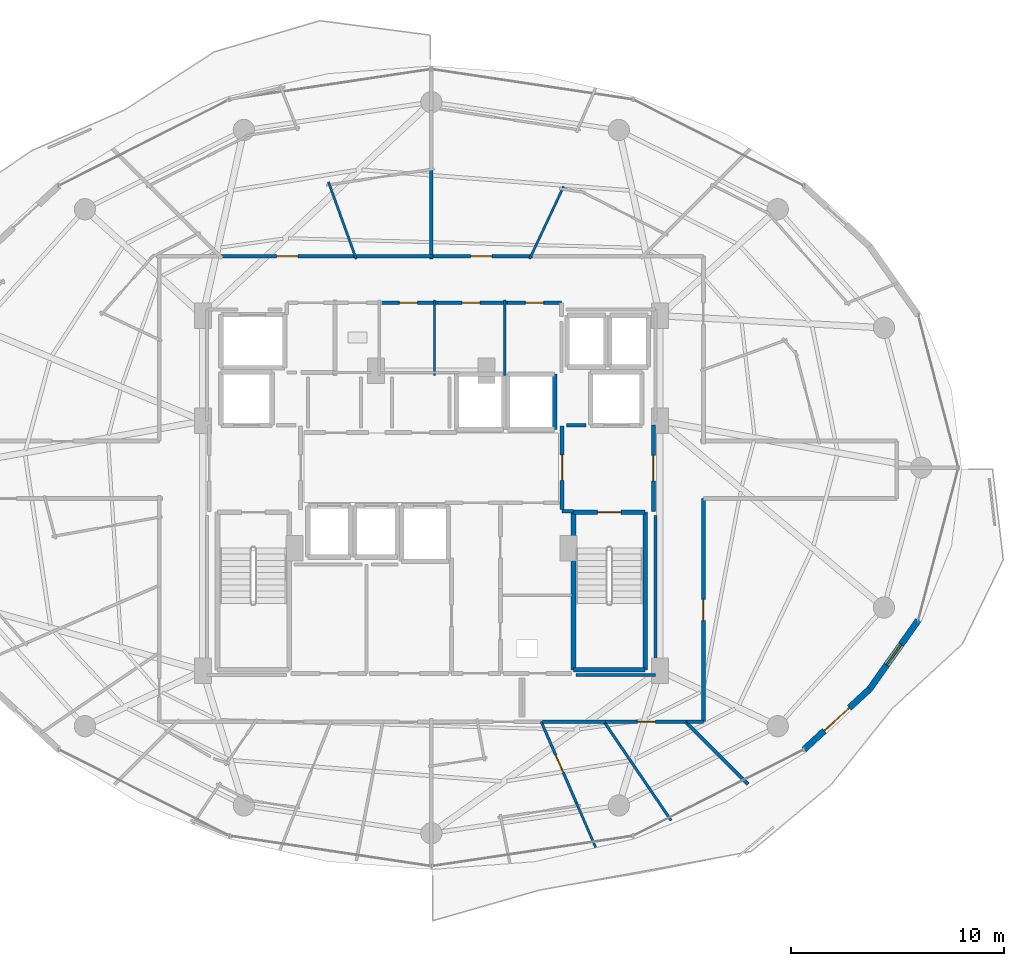
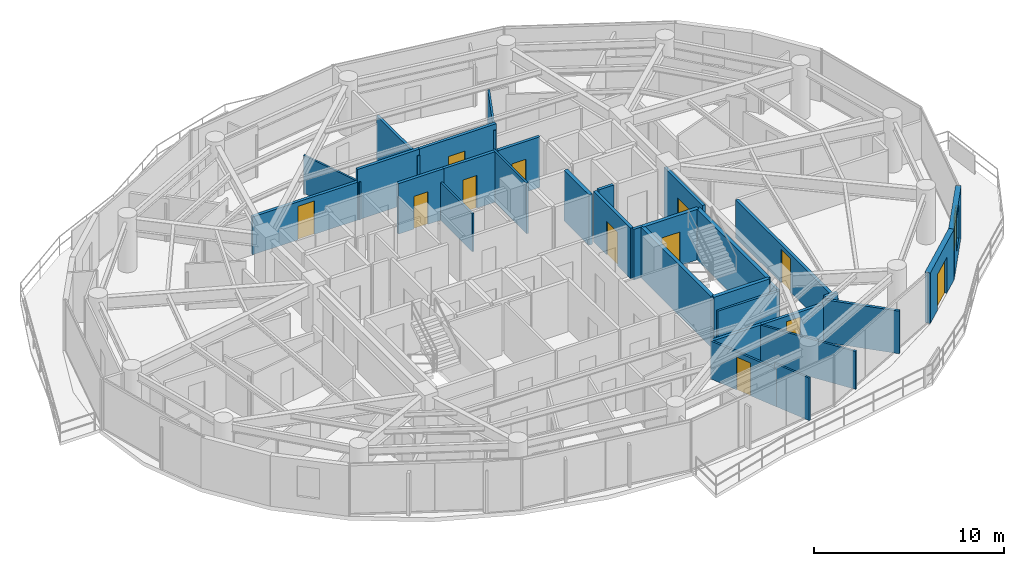
# One storey, part 25 of 31: 32 walls, 12 doors, 1 window, 13 openings.
"""IFC4 building model written with IfcOpenShell, lengths in metres."""

from ifc_helpers import new_model, si_unit, direction, frame, frame_2d, origin, place, context, subcontext, project, spatial, rectangle, extrude, material, layer, layer_set, type_object, element, fill, save


model = new_model("IFC4")

# Units and contexts
model_context = context("Model", 3, precision=1e-05, world=origin(), true_north=direction((0.0, 1.0)))
body_context = subcontext(model_context, "Body", "Model", "MODEL_VIEW")
ifc_project = project(units=[si_unit("LENGTHUNIT", "METRE"), si_unit("AREAUNIT", "SQUARE_METRE"), si_unit("VOLUMEUNIT", "CUBIC_METRE"), si_unit("PLANEANGLEUNIT", "RADIAN"), si_unit("MASSUNIT", "GRAM", prefix="KILO")], contexts=[model_context])

# Site, building, storey
site_placement = place(None, origin())
site = spatial("IfcSite", under=ifc_project, at=site_placement, CompositionType="ELEMENT")
building_placement = place(site_placement, origin())
building = spatial("IfcBuilding", under=site, at=building_placement, Name="Vorneva Point Tower", CompositionType="ELEMENT")
storey_placement = place(building_placement, frame((0.0, 0.0, 132.60009765625)))
storey = spatial("IfcBuildingStorey", under=building, at=storey_placement, Name="L35", CompositionType="ELEMENT", Elevation=132.60009765625)

# Wall, opening, door
ifc_material_1 = material(Name="Precast concrete B50 (C40/50)", Category="concrete")
ifc_layer_1 = layer(ifc_material_1, 0.300048828125)
ifc_layer_set_1 = layer_set([ifc_layer_1], Name="Precast concrete B50 (C40/50)")
wall_type_1 = type_object("IfcWallType", Name="WL-EXT-300", PredefinedType="STANDARD", material=ifc_layer_set_1)
wall_1_placement = place(storey_placement, frame((55.5361328125, 12.74169921875, 0.0), z_axis=(0.0, 0.0, 1.0), x_axis=(0.735477154165, 0.677549522693, 0.0)))
wall_1 = element("IfcWall", 1, at=wall_1_placement, inside=storey, type_object=wall_type_1, Name="L35 Pale-Metal Facade Spandrel Wall 15.1", PredefinedType="STANDARD", context=body_context, shape_type="SweptSolid", body=[
    extrude(rectangle(XDim=4.193603515625, YDim=0.300048828125, at=frame_2d((2.0966796875, 0.0))), origin(), (0.0, 0.0, 1.0), 3.239990234375),
])
opening_1_placement = place(wall_1_placement, frame((1.296875, 0.0, 0.0)))
opening_1 = element("IfcOpeningElement", 2, at=opening_1_placement, cuts=wall_1, Name="Opening BD-01", PredefinedType="OPENING", context=body_context, shape_type="SweptSolid", body=[
    extrude(rectangle(XDim=1.60009765625, YDim=2.300048828125, at=frame_2d((0.800048828125, 1.14990234375))), frame((0.0, 0.1650390625, 0.0), z_axis=(0.0, -1.0, 0.0), x_axis=(1.0, 0.0, 0.0)), (0.0, 0.0, 1.0), 0.329833984375),
])
ifc_material_2 = material(Name="Pale anodised aluminium", Category="aluminium")
door_type_1 = type_object("IfcDoorType", Name="DR-BAL-1600", OperationType="SLIDING_TO_LEFT", PredefinedType="DOOR", material=ifc_material_2)
door_1_placement = place(opening_1_placement, origin())
door_1 = element("IfcDoor", 3, at=door_1_placement, inside=storey, type_object=door_type_1, Name="L35 Balcony Terrace Access Door 15", OperationType="SLIDING_TO_LEFT", OverallHeight=2.300048828125, OverallWidth=1.60009765625, PredefinedType="DOOR", context=body_context, shape_type="SweptSolid", body=[
    extrude(rectangle(XDim=1.60009765625, YDim=2.300048828125, at=frame_2d((0.800048828125, 1.14990234375))), frame((0.0, 0.02490234375, 0.0), z_axis=(0.0, -1.0, 0.0), x_axis=(1.0, 0.0, 0.0)), (0.0, 0.0, 1.0), 0.050048828125),
])
fill(opening_1, door_1)

# Wall, opening, window
wall_2_placement = place(storey_placement, frame((58.620361328125, 15.5830078125, 0.0), z_axis=(0.0, 0.0, 1.0), x_axis=(0.577269753207, 0.816553508371, 0.0)))
wall_2 = element("IfcWall", 4, at=wall_2_placement, inside=storey, type_object=wall_type_1, Name="L35 Pale-Metal Facade Spandrel Wall 15.2", PredefinedType="STANDARD", context=body_context, shape_type="SweptSolid", body=[
    extrude(rectangle(XDim=3.969970703125, YDim=0.300048828125, at=frame_2d((1.98486328125, 0.0))), origin(), (0.0, 0.0, 1.0), 3.239990234375),
])
opening_2_placement = place(wall_2_placement, frame((1.385009765625, 0.0, 0.85009765625)))
opening_2 = element("IfcOpeningElement", 5, at=opening_2_placement, cuts=wall_2, Name="Opening W-04", PredefinedType="OPENING", context=body_context, shape_type="SweptSolid", body=[
    extrude(rectangle(XDim=1.199951171875, YDim=2.10009765625, at=frame_2d((0.60009765625, 1.050048828125))), frame((0.0, 0.1650390625, 0.0), z_axis=(0.0, -1.0, 0.0), x_axis=(1.0, 0.0, 0.0)), (0.0, 0.0, 1.0), 0.329833984375),
])
ifc_material_3 = material(Name="Double low-e laminated glass IGU", Category="glass")
window_type = type_object("IfcWindowType", Name="WN-RES-1200", PartitioningType="SINGLE_PANEL", PredefinedType="WINDOW", material=ifc_material_3)
window_placement = place(opening_2_placement, origin())
window = element("IfcWindow", 6, at=window_placement, inside=storey, type_object=window_type, Name="L35 Facade Window 15", OverallHeight=2.10009765625, OverallWidth=1.199951171875, PartitioningType="SINGLE_PANEL", PredefinedType="WINDOW", context=body_context, shape_type="SweptSolid", body=[
    extrude(rectangle(XDim=1.199951171875, YDim=2.10009765625, at=frame_2d((0.60009765625, 1.050048828125))), frame((0.0, 0.030029296875, 0.0), z_axis=(0.0, -1.0, 0.0), x_axis=(1.0, 0.0, 0.0)), (0.0, 0.0, 1.0), 0.06005859375),
])
fill(opening_2, window)

# Walls
ifc_material_4 = material(Name="Fire-rated acoustic gypsum stud partition", Category="gypsum")
ifc_layer_2 = layer(ifc_material_4, 0.110107421875)
ifc_layer_set_2 = layer_set([ifc_layer_2], Name="Fire-rated acoustic gypsum stud partition")
wall_type_2 = type_object("IfcWallType", Name="WL-PART-110", PredefinedType="PARTITIONING", material=ifc_layer_set_2)
wall_3_placement = place(storey_placement, frame((38.14990234375, 30.340087890625, 0.0), z_axis=(0.0, 0.0, 1.0), x_axis=(0.0, 1.0, 0.0)))
element("IfcWall", 7, at=wall_3_placement, inside=storey, type_object=wall_type_2, Name="L35 Interior Partition 023", PredefinedType="PARTITIONING", context=body_context, shape_type="SweptSolid", body=[
    extrude(rectangle(XDim=3.559814453125, YDim=0.110107421875, at=frame_2d((1.77978515625, 0.0))), origin(), (0.0, 0.0, 1.0), 2.431884765625),
])
wall_4_placement = place(storey_placement, frame((41.449951171875, 30.340087890625, 0.0), z_axis=(0.0, 0.0, 1.0), x_axis=(0.0, 1.0, 0.0)))
element("IfcWall", 8, at=wall_4_placement, inside=storey, type_object=wall_type_2, Name="L35 Interior Partition 026", PredefinedType="PARTITIONING", context=body_context, shape_type="SweptSolid", body=[
    extrude(rectangle(XDim=3.559814453125, YDim=0.110107421875, at=frame_2d((1.77978515625, 0.0))), origin(), (0.0, 0.0, 1.0), 3.239990234375),
])
wall_5_placement = place(storey_placement, frame((42.622314453125, 35.8232421875, 0.0), z_axis=(0.0, 0.0, 1.0), x_axis=(0.425768969191, 0.904831909735, 0.0)))
element("IfcWall", 9, at=wall_5_placement, inside=storey, type_object=wall_type_2, Name="L35 Interior Partition 079", PredefinedType="PARTITIONING", context=body_context, shape_type="SweptSolid", body=[
    extrude(rectangle(XDim=3.770263671875, YDim=0.110107421875, at=frame_2d((1.88525390625, 0.0))), origin(), (0.0, 0.0, 1.0), 2.8740234375),
])
wall_6_placement = place(storey_placement, frame((34.46533203125, 35.818359375, 0.0), z_axis=(0.0, 0.0, 1.0), x_axis=(-0.338813618534, 0.940853512453, 0.0)))
element("IfcWall", 10, at=wall_6_placement, inside=storey, type_object=wall_type_2, Name="L35 Interior Partition 087", PredefinedType="PARTITIONING", context=body_context, shape_type="SweptSolid", body=[
    extrude(rectangle(XDim=3.8564453125, YDim=0.110107421875, at=frame_2d((1.92822265625, 0.0))), origin(), (0.0, 0.0, 1.0), 2.431884765625),
])
wall_7_placement = place(storey_placement, frame((45.731689453125, 8.133544921875, 0.0), z_axis=(0.0, 0.0, 1.0), x_axis=(-0.397125966554, 0.91776411277, 0.0)))
element("IfcWall", 11, at=wall_7_placement, inside=storey, type_object=wall_type_2, Name="L35 Interior Partition 132", PredefinedType="PARTITIONING", context=body_context, shape_type="SweptSolid", body=[
    extrude(rectangle(XDim=2.277099609375, YDim=0.110107421875, at=frame_2d((1.138671875, 0.0))), origin(), (0.0, 0.0, 1.0), 2.727783203125),
])

# Wall, opening, door
ifc_layer_3 = layer(ifc_material_4, 0.125)
ifc_layer_set_3 = layer_set([ifc_layer_3], Name="Fire-rated acoustic gypsum stud partition")
wall_type_3 = type_object("IfcWallType", Name="WL-PART-125", PredefinedType="PARTITIONING", material=ifc_layer_set_3)
wall_8_placement = place(storey_placement, frame((44.883056640625, 10.094970703125, 0.0), z_axis=(0.0, 0.0, 1.0), x_axis=(-0.397273563399, 0.917700232006, 0.0)))
wall_8 = element("IfcWall", 12, at=wall_8_placement, inside=storey, type_object=wall_type_3, Name="L35 Interior Partition 131", PredefinedType="PARTITIONING", context=body_context, shape_type="SweptSolid", body=[
    extrude(rectangle(XDim=4.309814453125, YDim=0.125, at=frame_2d((2.15478515625, 0.0))), origin(), (0.0, 0.0, 1.0), 2.431884765625),
])
opening_3_placement = place(wall_8_placement, frame((1.704833984375, 0.0, 0.0)))
opening_3 = element("IfcOpeningElement", 13, at=opening_3_placement, cuts=wall_8, Name="Opening ID-01", PredefinedType="OPENING", context=body_context, shape_type="SweptSolid", body=[
    extrude(rectangle(XDim=0.89990234375, YDim=2.10009765625, at=frame_2d((0.449951171875, 1.050048828125))), frame((0.0, 0.077392578125, 0.0), z_axis=(0.0, -1.0, 0.0), x_axis=(1.0, 0.0, 0.0)), (0.0, 0.0, 1.0), 0.15478515625),
])
ifc_material_5 = material(Name="Engineered oak fire-rated door leaf", Category="wood")
door_type_2 = type_object("IfcDoorType", Name="DR-ROOM-900", OperationType="NOTDEFINED", PredefinedType="DOOR", material=ifc_material_5)
door_2_placement = place(opening_3_placement, origin())
door_2 = element("IfcDoor", 14, at=door_2_placement, inside=storey, type_object=door_type_2, Name="L35 Door Living and Dining Room L35-07 / Master Bedroom L35-07.1", OperationType="SINGLE_SWING_RIGHT", OverallHeight=2.10009765625, OverallWidth=0.89990234375, PredefinedType="DOOR", context=body_context, shape_type="SweptSolid", body=[
    extrude(rectangle(XDim=0.89990234375, YDim=2.10009765625, at=frame_2d((0.449951171875, 1.050048828125))), frame((0.0, 0.02490234375, 0.0), z_axis=(0.0, -1.0, 0.0), x_axis=(1.0, 0.0, 0.0)), (0.0, 0.0, 1.0), 0.050048828125),
])
fill(opening_3, door_2)

# Walls
wall_9_placement = place(storey_placement, frame((49.280029296875, 9.402099609375, 0.0), z_axis=(0.0, 0.0, 1.0), x_axis=(-0.562106811751, 0.827064648128, 0.0)))
element("IfcWall", 15, at=wall_9_placement, inside=storey, type_object=wall_type_3, Name="L35 Interior Partition 133", PredefinedType="PARTITIONING", context=body_context, shape_type="SweptSolid", body=[
    extrude(rectangle(XDim=5.619873046875, YDim=0.125, at=frame_2d((2.81005859375, 0.0))), origin(), (0.0, 0.0, 1.0), 2.431884765625),
])
ifc_layer_4 = layer(ifc_material_4, 0.139892578125)
ifc_layer_set_4 = layer_set([ifc_layer_4], Name="Fire-rated acoustic gypsum stud partition")
wall_type_4 = type_object("IfcWallType", Name="WL-PART-140", PredefinedType="PARTITIONING", material=ifc_layer_set_4)
wall_10_placement = place(storey_placement, frame((44.804931640625, 16.239990234375, 0.0), z_axis=(0.0, 0.0, 1.0), x_axis=(1.0, 0.0, 0.0)))
element("IfcWall", 16, at=wall_10_placement, inside=storey, type_object=wall_type_4, Name="L35 Interior Closure Partition 154", PredefinedType="PARTITIONING", context=body_context, shape_type="SweptSolid", body=[
    extrude(rectangle(XDim=3.7451171875, YDim=0.139892578125, at=frame_2d((1.87255859375, 0.0))), origin(), (0.0, 0.0, 1.0), 2.431884765625),
])
wall_11_placement = place(storey_placement, frame((48.550048828125, 16.239990234375, 0.0), z_axis=(0.0, 0.0, 1.0), x_axis=(0.0, 1.0, 0.0)))
element("IfcWall", 17, at=wall_11_placement, inside=storey, type_object=wall_type_4, Name="L35 Interior Closure Partition 155", PredefinedType="PARTITIONING", context=body_context, shape_type="SweptSolid", body=[
    extrude(rectangle(XDim=7.513916015625, YDim=0.139892578125, at=frame_2d((3.7568359375, 0.0))), origin(), (0.0, 0.0, 1.0), 2.431884765625),
])
ifc_layer_5 = layer(ifc_material_4, 0.159912109375)
ifc_layer_set_5 = layer_set([ifc_layer_5], Name="Fire-rated acoustic gypsum stud partition")
wall_type_5 = type_object("IfcWallType", Name="WL-PART-160", PredefinedType="PARTITIONING", material=ifc_layer_set_5)
wall_12_placement = place(storey_placement, frame((38.0, 40.114990234375, 0.0), z_axis=(0.0, 0.0, 1.0), x_axis=(0.0, -1.0, 0.0)))
element("IfcWall", 18, at=wall_12_placement, inside=storey, type_object=wall_type_5, Name="L35 Interior Partition 085", PredefinedType="PARTITIONING", context=body_context, shape_type="SweptSolid", body=[
    extrude(rectangle(XDim=4.304931640625, YDim=0.159912109375, at=frame_2d((2.15234375, 0.0))), origin(), (0.0, 0.0, 1.0), 2.8740234375),
])
wall_13_placement = place(storey_placement, frame((52.89501953125, 11.10498046875, 0.0), z_axis=(0.0, 0.0, 1.0), x_axis=(-0.707106781187, 0.707106781187, 0.0)))
element("IfcWall", 19, at=wall_13_placement, inside=storey, type_object=wall_type_5, Name="L35 Interior Partition 134", PredefinedType="PARTITIONING", context=body_context, shape_type="SweptSolid", body=[
    extrude(rectangle(XDim=4.1650390625, YDim=0.159912109375, at=frame_2d((2.08251953125, 0.0))), origin(), (0.0, 0.0, 1.0), 2.727783203125),
])

# Wall, opening, door
ifc_material_6 = material(Name="Autoclaved aerated concrete blockwork", Category="masonry")
ifc_layer_6 = layer(ifc_material_6, 0.179931640625)
ifc_layer_set_6 = layer_set([ifc_layer_6], Name="Autoclaved aerated concrete blockwork")
wall_type_6 = type_object("IfcWallType", Name="WL-PART-180", PredefinedType="PARTITIONING", material=ifc_layer_set_6)
wall_14_placement = place(storey_placement, frame((44.14990234375, 27.955078125, 0.0), z_axis=(0.0, 0.0, 1.0), x_axis=(0.0, -1.0, 0.0)))
wall_14 = element("IfcWall", 20, at=wall_14_placement, inside=storey, type_object=wall_type_6, Name="L35 Interior Partition 003", PredefinedType="PARTITIONING", context=body_context, shape_type="SweptSolid", body=[
    extrude(rectangle(XDim=3.91015625, YDim=0.179931640625, at=frame_2d((1.955078125, 0.0))), origin(), (0.0, 0.0, 1.0), 3.239990234375),
])
opening_4_placement = place(wall_14_placement, frame((1.35498046875, 0.0, 0.0)))
opening_4 = element("IfcOpeningElement", 21, at=opening_4_placement, cuts=wall_14, Name="Opening FD-02", PredefinedType="OPENING", context=body_context, shape_type="SweptSolid", body=[
    extrude(rectangle(XDim=1.199951171875, YDim=2.14990234375, at=frame_2d((0.60009765625, 1.074951171875))), frame((0.0, 0.10498046875, 0.0), z_axis=(0.0, -1.0, 0.0), x_axis=(1.0, 0.0, 0.0)), (0.0, 0.0, 1.0), 0.209716796875),
])
ifc_material_7 = material(Name="Fire-rated powder-coated steel", Category="steel")
door_type_3 = type_object("IfcDoorType", Name="DR-FFL-1200", OperationType="NOTDEFINED", PredefinedType="DOOR", material=ifc_material_7)
door_3_placement = place(opening_4_placement, origin())
door_3 = element("IfcDoor", 22, at=door_3_placement, inside=storey, type_object=door_type_3, Name="L35 Door East Firefighting Lobby / Central Lift Lobby", OperationType="SINGLE_SWING_LEFT", OverallHeight=2.14990234375, OverallWidth=1.199951171875, PredefinedType="DOOR", context=body_context, shape_type="SweptSolid", body=[
    extrude(rectangle(XDim=1.199951171875, YDim=2.14990234375, at=frame_2d((0.60009765625, 1.074951171875))), frame((0.0, 0.02490234375, 0.0), z_axis=(0.0, -1.0, 0.0), x_axis=(1.0, 0.0, 0.0)), (0.0, 0.0, 1.0), 0.050048828125),
])
fill(opening_4, door_3)

# Wall
wall_15_placement = place(storey_placement, frame((44.14990234375, 23.949951171875, 0.0), z_axis=(0.0, 0.0, 1.0), x_axis=(1.0, 0.0, 0.0)))
element("IfcWall", 23, at=wall_15_placement, inside=storey, type_object=wall_type_6, Name="L35 Interior Partition 004", PredefinedType="PARTITIONING", context=body_context, shape_type="SweptSolid", body=[
    extrude(rectangle(XDim=0.5400390625, YDim=0.179931640625, at=frame_2d((0.27001953125, 0.0))), origin(), (0.0, 0.0, 1.0), 3.239990234375),
])

# Wall, opening, door
wall_16_placement = place(storey_placement, frame((48.449951171875, 23.949951171875, 0.0), z_axis=(0.0, 0.0, 1.0), x_axis=(0.0, 1.0, 0.0)))
wall_16 = element("IfcWall", 24, at=wall_16_placement, inside=storey, type_object=wall_type_6, Name="L35 Interior Partition 005", PredefinedType="PARTITIONING", context=body_context, shape_type="SweptSolid", body=[
    extrude(rectangle(XDim=4.050048828125, YDim=0.179931640625, at=frame_2d((2.02490234375, 0.0))), origin(), (0.0, 0.0, 1.0), 3.239990234375),
])
opening_5_placement = place(wall_16_placement, frame((1.425048828125, 0.0, 0.0)))
opening_5 = element("IfcOpeningElement", 25, at=opening_5_placement, cuts=wall_16, Name="Opening FD-02", PredefinedType="OPENING", context=body_context, shape_type="SweptSolid", body=[
    extrude(rectangle(XDim=1.199951171875, YDim=2.14990234375, at=frame_2d((0.60009765625, 1.074951171875))), frame((0.0, 0.10498046875, 0.0), z_axis=(0.0, -1.0, 0.0), x_axis=(1.0, 0.0, 0.0)), (0.0, 0.0, 1.0), 0.209716796875),
])
door_4_placement = place(opening_5_placement, origin())
door_4 = element("IfcDoor", 26, at=door_4_placement, inside=storey, type_object=door_type_3, Name="L35 Door East Firefighting Lobby / L35 Circulation Corridor", OperationType="SINGLE_SWING_LEFT", OverallHeight=2.14990234375, OverallWidth=1.199951171875, PredefinedType="DOOR", context=body_context, shape_type="SweptSolid", body=[
    extrude(rectangle(XDim=1.199951171875, YDim=2.14990234375, at=frame_2d((0.60009765625, 1.074951171875))), frame((0.0, 0.02490234375, 0.0), z_axis=(0.0, -1.0, 0.0), x_axis=(1.0, 0.0, 0.0)), (0.0, 0.0, 1.0), 0.050048828125),
])
fill(opening_5, door_4)

wall_17_placement = place(storey_placement, frame((38.2900390625, 33.760009765625, 0.0), z_axis=(0.0, 0.0, 1.0), x_axis=(-1.0, 0.0, 0.0)))
wall_17 = element("IfcWall", 27, at=wall_17_placement, inside=storey, type_object=wall_type_6, Name="L35 Interior Partition 025", PredefinedType="PARTITIONING", context=body_context, shape_type="SweptSolid", body=[
    extrude(rectangle(XDim=2.739990234375, YDim=0.179931640625, at=frame_2d((1.3701171875, 0.0))), origin(), (0.0, 0.0, 1.0), 3.239990234375),
])
opening_6_placement = place(wall_17_placement, frame((0.945068359375, 0.0, 0.0)))
opening_6 = element("IfcOpeningElement", 28, at=opening_6_placement, cuts=wall_17, Name="Opening ID-02", PredefinedType="OPENING", context=body_context, shape_type="SweptSolid", body=[
    extrude(rectangle(XDim=0.85009765625, YDim=2.10009765625, at=frame_2d((0.425048828125, 1.050048828125))), frame((0.0, 0.10498046875, 0.0), z_axis=(0.0, -1.0, 0.0), x_axis=(1.0, 0.0, 0.0)), (0.0, 0.0, 1.0), 0.209716796875),
])
door_type_4 = type_object("IfcDoorType", Name="DR-BATH-850", OperationType="NOTDEFINED", PredefinedType="DOOR", material=ifc_material_5)
door_5_placement = place(opening_6_placement, origin())
door_5 = element("IfcDoor", 29, at=door_5_placement, inside=storey, type_object=door_type_4, Name="L35 Door Public Male WC / L35 Circulation Corridor", OperationType="SINGLE_SWING_RIGHT", OverallHeight=2.10009765625, OverallWidth=0.85009765625, PredefinedType="DOOR", context=body_context, shape_type="SweptSolid", body=[
    extrude(rectangle(XDim=0.85009765625, YDim=2.10009765625, at=frame_2d((0.425048828125, 1.050048828125))), frame((0.0, 0.02490234375, 0.0), z_axis=(0.0, -1.0, 0.0), x_axis=(1.0, 0.0, 0.0)), (0.0, 0.0, 1.0), 0.050048828125),
])
fill(opening_6, door_5)

wall_18_placement = place(storey_placement, frame((41.590087890625, 33.760009765625, 0.0), z_axis=(0.0, 0.0, 1.0), x_axis=(-1.0, 0.0, 0.0)))
wall_18 = element("IfcWall", 30, at=wall_18_placement, inside=storey, type_object=wall_type_6, Name="L35 Interior Partition 028", PredefinedType="PARTITIONING", context=body_context, shape_type="SweptSolid", body=[
    extrude(rectangle(XDim=3.440185546875, YDim=0.179931640625, at=frame_2d((1.72021484375, 0.0))), origin(), (0.0, 0.0, 1.0), 3.239990234375),
])
opening_7_placement = place(wall_18_placement, frame((1.294921875, 0.0, 0.0)))
opening_7 = element("IfcOpeningElement", 31, at=opening_7_placement, cuts=wall_18, Name="Opening ID-02", PredefinedType="OPENING", context=body_context, shape_type="SweptSolid", body=[
    extrude(rectangle(XDim=0.85009765625, YDim=2.10009765625, at=frame_2d((0.425048828125, 1.050048828125))), frame((0.0, 0.10498046875, 0.0), z_axis=(0.0, -1.0, 0.0), x_axis=(1.0, 0.0, 0.0)), (0.0, 0.0, 1.0), 0.209716796875),
])
door_6_placement = place(opening_7_placement, origin())
door_6 = element("IfcDoor", 32, at=door_6_placement, inside=storey, type_object=door_type_4, Name="L35 Door Public Female WC / L35 Circulation Corridor", OperationType="SINGLE_SWING_LEFT", OverallHeight=2.10009765625, OverallWidth=0.85009765625, PredefinedType="DOOR", context=body_context, shape_type="SweptSolid", body=[
    extrude(rectangle(XDim=0.85009765625, YDim=2.10009765625, at=frame_2d((0.425048828125, 1.050048828125))), frame((0.0, 0.02490234375, 0.0), z_axis=(0.0, -1.0, 0.0), x_axis=(1.0, 0.0, 0.0)), (0.0, 0.0, 1.0), 0.050048828125),
])
fill(opening_7, door_6)

wall_19_placement = place(storey_placement, frame((44.1201171875, 33.760009765625, 0.0), z_axis=(0.0, 0.0, 1.0), x_axis=(-1.0, 0.0, 0.0)))
wall_19 = element("IfcWall", 33, at=wall_19_placement, inside=storey, type_object=wall_type_6, Name="L35 Interior Partition 029", PredefinedType="PARTITIONING", context=body_context, shape_type="SweptSolid", body=[
    extrude(rectangle(XDim=2.530029296875, YDim=0.179931640625, at=frame_2d((1.26513671875, 0.0))), origin(), (0.0, 0.0, 1.0), 3.239990234375),
])
opening_8_placement = place(wall_19_placement, frame((0.840087890625, 0.0, 0.0)))
opening_8 = element("IfcOpeningElement", 34, at=opening_8_placement, cuts=wall_19, Name="Opening ID-02", PredefinedType="OPENING", context=body_context, shape_type="SweptSolid", body=[
    extrude(rectangle(XDim=0.85009765625, YDim=2.10009765625, at=frame_2d((0.425048828125, 1.050048828125))), frame((0.0, 0.10498046875, 0.0), z_axis=(0.0, -1.0, 0.0), x_axis=(1.0, 0.0, 0.0)), (0.0, 0.0, 1.0), 0.209716796875),
])
door_7_placement = place(opening_8_placement, origin())
door_7 = element("IfcDoor", 35, at=door_7_placement, inside=storey, type_object=door_type_4, Name="L35 Door Cleaners Store / L35 Circulation Corridor", OperationType="SINGLE_SWING_RIGHT", OverallHeight=2.10009765625, OverallWidth=0.85009765625, PredefinedType="DOOR", context=body_context, shape_type="SweptSolid", body=[
    extrude(rectangle(XDim=0.85009765625, YDim=2.10009765625, at=frame_2d((0.425048828125, 1.050048828125))), frame((0.0, 0.02490234375, 0.0), z_axis=(0.0, -1.0, 0.0), x_axis=(1.0, 0.0, 0.0)), (0.0, 0.0, 1.0), 0.050048828125),
])
fill(opening_8, door_7)

wall_20_placement = place(storey_placement, frame((42.748046875, 35.949951171875, 0.0), z_axis=(0.0, 0.0, 1.0), x_axis=(-1.0, 0.0, 0.0)))
wall_20 = element("IfcWall", 36, at=wall_20_placement, inside=storey, type_object=wall_type_6, Name="L35 Interior Partition 040", PredefinedType="PARTITIONING", context=body_context, shape_type="SweptSolid", body=[
    extrude(rectangle(XDim=4.80810546875, YDim=0.179931640625, at=frame_2d((2.404052734375, 0.0))), origin(), (0.0, 0.0, 1.0), 3.239990234375),
])
opening_9_placement = place(wall_20_placement, frame((1.904052734375, 0.0, 0.0)))
opening_9 = element("IfcOpeningElement", 37, at=opening_9_placement, cuts=wall_20, Name="Opening UD-01", PredefinedType="OPENING", context=body_context, shape_type="SweptSolid", body=[
    extrude(rectangle(XDim=1.0, YDim=2.14990234375, at=frame_2d((0.5, 1.074951171875))), frame((0.0, 0.10498046875, 0.0), z_axis=(0.0, -1.0, 0.0), x_axis=(1.0, 0.0, 0.0)), (0.0, 0.0, 1.0), 0.209716796875),
])
door_type_5 = type_object("IfcDoorType", Name="DR-UNIT-1000", OperationType="NOTDEFINED", PredefinedType="DOOR", material=ifc_material_5)
door_8_placement = place(opening_9_placement, origin())
door_8 = element("IfcDoor", 38, at=door_8_placement, inside=storey, type_object=door_type_5, Name="L35 Door L35 Circulation Corridor / Studio Apartment L35-02", OperationType="SINGLE_SWING_RIGHT", OverallHeight=2.14990234375, OverallWidth=1.0, PredefinedType="DOOR", context=body_context, shape_type="SweptSolid", body=[
    extrude(rectangle(XDim=1.0, YDim=2.14990234375, at=frame_2d((0.5, 1.074951171875))), frame((0.0, 0.02490234375, 0.0), z_axis=(0.0, -1.0, 0.0), x_axis=(1.0, 0.0, 0.0)), (0.0, 0.0, 1.0), 0.050048828125),
])
fill(opening_9, door_8)

wall_21_placement = place(storey_placement, frame((34.47802734375, 35.949951171875, 0.0), z_axis=(0.0, 0.0, 1.0), x_axis=(-1.0, 0.0, 0.0)))
wall_21 = element("IfcWall", 39, at=wall_21_placement, inside=storey, type_object=wall_type_6, Name="L35 Interior Partition 042", PredefinedType="PARTITIONING", context=body_context, shape_type="SweptSolid", body=[
    extrude(rectangle(XDim=6.512939453125, YDim=0.179931640625, at=frame_2d((3.25634765625, 0.0))), origin(), (0.0, 0.0, 1.0), 2.431884765625),
])
opening_10_placement = place(wall_21_placement, frame((2.756591796875, 0.0, 0.0)))
opening_10 = element("IfcOpeningElement", 40, at=opening_10_placement, cuts=wall_21, Name="Opening UD-01", PredefinedType="OPENING", context=body_context, shape_type="SweptSolid", body=[
    extrude(rectangle(XDim=1.0, YDim=2.14990234375, at=frame_2d((0.5, 1.074951171875))), frame((0.0, 0.10498046875, 0.0), z_axis=(0.0, -1.0, 0.0), x_axis=(1.0, 0.0, 0.0)), (0.0, 0.0, 1.0), 0.209716796875),
])
door_9_placement = place(opening_10_placement, origin())
door_9 = element("IfcDoor", 41, at=door_9_placement, inside=storey, type_object=door_type_5, Name="L35 Door L35 Circulation Corridor / Studio Apartment L35-03", OperationType="SINGLE_SWING_LEFT", OverallHeight=2.14990234375, OverallWidth=1.0, PredefinedType="DOOR", context=body_context, shape_type="SweptSolid", body=[
    extrude(rectangle(XDim=1.0, YDim=2.14990234375, at=frame_2d((0.5, 1.074951171875))), frame((0.0, 0.02490234375, 0.0), z_axis=(0.0, -1.0, 0.0), x_axis=(1.0, 0.0, 0.0)), (0.0, 0.0, 1.0), 0.050048828125),
])
fill(opening_10, door_9)

# Walls
wall_22_placement = place(storey_placement, frame((38.080078125, 35.949951171875, 0.0), z_axis=(0.0, 0.0, 1.0), x_axis=(-1.0, 0.0, 0.0)))
element("IfcWall", 42, at=wall_22_placement, inside=storey, type_object=wall_type_6, Name="L35 Interior Partition 043", PredefinedType="PARTITIONING", context=body_context, shape_type="SweptSolid", body=[
    extrude(rectangle(XDim=3.7421875, YDim=0.179931640625, at=frame_2d((1.87109375, 0.0))), origin(), (0.0, 0.0, 1.0), 3.239990234375),
])
wall_23_placement = place(storey_placement, frame((43.236083984375, 14.050048828125, 0.0), z_axis=(0.0, 0.0, 1.0), x_axis=(1.0, 0.0, 0.0)))
element("IfcWall", 43, at=wall_23_placement, inside=storey, type_object=wall_type_6, Name="L35 Interior Partition 063", PredefinedType="PARTITIONING", context=body_context, shape_type="SweptSolid", body=[
    extrude(rectangle(XDim=2.9580078125, YDim=0.179931640625, at=frame_2d((1.47900390625, 0.0))), origin(), (0.0, 0.0, 1.0), 2.431884765625),
])

# Wall, opening, door
wall_24_placement = place(storey_placement, frame((46.194091796875, 14.050048828125, 0.0), z_axis=(0.0, 0.0, 1.0), x_axis=(1.0, 0.0, 0.0)))
wall_24 = element("IfcWall", 44, at=wall_24_placement, inside=storey, type_object=wall_type_6, Name="L35 Interior Partition 064", PredefinedType="PARTITIONING", context=body_context, shape_type="SweptSolid", body=[
    extrude(rectangle(XDim=3.8408203125, YDim=0.179931640625, at=frame_2d((1.92041015625, 0.0))), origin(), (0.0, 0.0, 1.0), 2.431884765625),
])
opening_11_placement = place(wall_24_placement, frame((1.49560546875, 0.0, 0.0)))
opening_11 = element("IfcOpeningElement", 45, at=opening_11_placement, cuts=wall_24, Name="Opening ID-02", PredefinedType="OPENING", context=body_context, shape_type="SweptSolid", body=[
    extrude(rectangle(XDim=0.85009765625, YDim=2.10009765625, at=frame_2d((0.425048828125, 1.050048828125))), frame((0.0, 0.10498046875, 0.0), z_axis=(0.0, -1.0, 0.0), x_axis=(1.0, 0.0, 0.0)), (0.0, 0.0, 1.0), 0.209716796875),
])
door_10_placement = place(opening_11_placement, origin())
door_10 = element("IfcDoor", 46, at=door_10_placement, inside=storey, type_object=door_type_4, Name="L35 Access Door L35 Circulation Corridor", OperationType="SINGLE_SWING_LEFT", OverallHeight=2.10009765625, OverallWidth=0.85009765625, PredefinedType="DOOR", context=body_context, shape_type="SweptSolid", body=[
    extrude(rectangle(XDim=0.85009765625, YDim=2.10009765625, at=frame_2d((0.425048828125, 1.050048828125))), frame((0.0, 0.02490234375, 0.0), z_axis=(0.0, -1.0, 0.0), x_axis=(1.0, 0.0, 0.0)), (0.0, 0.0, 1.0), 0.050048828125),
])
fill(opening_11, door_10)

# Wall
wall_25_placement = place(storey_placement, frame((50.034912109375, 14.050048828125, 0.0), z_axis=(0.0, 0.0, 1.0), x_axis=(1.0, 0.0, 0.0)))
element("IfcWall", 47, at=wall_25_placement, inside=storey, type_object=wall_type_6, Name="L35 Interior Partition 065", PredefinedType="PARTITIONING", context=body_context, shape_type="SweptSolid", body=[
    extrude(rectangle(XDim=0.76513671875, YDim=0.179931640625, at=frame_2d((0.382568359375, 0.0))), origin(), (0.0, 0.0, 1.0), 2.8740234375),
])

# Wall, opening, door
wall_26_placement = place(storey_placement, frame((50.800048828125, 14.050048828125, 0.0), z_axis=(0.0, 0.0, 1.0), x_axis=(0.0, 1.0, 0.0)))
wall_26 = element("IfcWall", 48, at=wall_26_placement, inside=storey, type_object=wall_type_6, Name="L35 Interior Partition 066", PredefinedType="PARTITIONING", context=body_context, shape_type="SweptSolid", body=[
    extrude(rectangle(XDim=10.5, YDim=0.179931640625, at=frame_2d((5.25, 0.0))), origin(), (0.0, 0.0, 1.0), 2.431884765625),
])
opening_12_placement = place(wall_26_placement, frame((4.75, 0.0, 0.0)))
opening_12 = element("IfcOpeningElement", 49, at=opening_12_placement, cuts=wall_26, Name="Opening UD-01", PredefinedType="OPENING", context=body_context, shape_type="SweptSolid", body=[
    extrude(rectangle(XDim=1.0, YDim=2.14990234375, at=frame_2d((0.5, 1.074951171875))), frame((0.0, 0.10498046875, 0.0), z_axis=(0.0, -1.0, 0.0), x_axis=(1.0, 0.0, 0.0)), (0.0, 0.0, 1.0), 0.209716796875),
])
door_11_placement = place(opening_12_placement, origin())
door_11 = element("IfcDoor", 50, at=door_11_placement, inside=storey, type_object=door_type_5, Name="L35 Door L35 Circulation Corridor / Residents Sky Lounge L35-08", OperationType="SINGLE_SWING_RIGHT", OverallHeight=2.14990234375, OverallWidth=1.0, PredefinedType="DOOR", context=body_context, shape_type="SweptSolid", body=[
    extrude(rectangle(XDim=1.0, YDim=2.14990234375, at=frame_2d((0.5, 1.074951171875))), frame((0.0, 0.02490234375, 0.0), z_axis=(0.0, -1.0, 0.0), x_axis=(1.0, 0.0, 0.0)), (0.0, 0.0, 1.0), 0.050048828125),
])
fill(opening_12, door_11)

# Wall
wall_27_placement = place(storey_placement, frame((45.280029296875, 28.0, 0.0), z_axis=(0.0, 0.0, 1.0), x_axis=(-1.0, 0.0, 0.0)))
element("IfcWall", 51, at=wall_27_placement, inside=storey, type_object=wall_type_6, Name="L35 Interior Closure Partition 136", PredefinedType="PARTITIONING", context=body_context, shape_type="SweptSolid", body=[
    extrude(rectangle(XDim=0.9150390625, YDim=0.179931640625, at=frame_2d((0.45751953125, 0.0))), origin(), (0.0, 0.0, 1.0), 3.239990234375),
])

# Wall, opening, door
ifc_material_8 = material(Name="Concrete B50 (C40/50)", Category="concrete")
ifc_layer_7 = layer(ifc_material_8, 0.219970703125)
ifc_layer_set_7 = layer_set([ifc_layer_7], Name="Concrete B50 (C40/50)")
wall_type_7 = type_object("IfcWallType", Name="WL-SHFT-220", PredefinedType="SOLIDWALL", material=ifc_layer_set_7)
wall_28_placement = place(storey_placement, frame((44.68994140625, 23.909912109375, 0.0), z_axis=(0.0, 0.0, 1.0), x_axis=(1.0, 0.0, 0.0)))
wall_28 = element("IfcWall", 52, at=wall_28_placement, inside=storey, type_object=wall_type_7, Name="L35 Exit Stair ST2 Shaft Wall near", PredefinedType="SOLIDWALL", context=body_context, shape_type="SweptSolid", body=[
    extrude(rectangle(XDim=3.3701171875, YDim=0.219970703125, at=frame_2d((1.68505859375, 0.0))), origin(), (0.0, 0.0, 1.0), 3.239990234375),
])
opening_13_placement = place(wall_28_placement, frame((1.135009765625, 0.0, 0.0)))
opening_13 = element("IfcOpeningElement", 53, at=opening_13_placement, cuts=wall_28, Name="Opening FD-01", PredefinedType="OPENING", context=body_context, shape_type="SweptSolid", body=[
    extrude(rectangle(XDim=1.10009765625, YDim=2.14990234375, at=frame_2d((0.550048828125, 1.074951171875))), frame((0.0, 0.125, 0.0), z_axis=(0.0, -1.0, 0.0), x_axis=(1.0, 0.0, 0.0)), (0.0, 0.0, 1.0), 0.249755859375),
])
door_type_6 = type_object("IfcDoorType", Name="DR-STAIR-1100", OperationType="NOTDEFINED", PredefinedType="DOOR", material=ifc_material_7)
door_12_placement = place(opening_13_placement, origin())
door_12 = element("IfcDoor", 54, at=door_12_placement, inside=storey, type_object=door_type_6, Name="L35 Exit Stair ST2 Fire Door", OperationType="SINGLE_SWING_RIGHT", OverallHeight=2.14990234375, OverallWidth=1.10009765625, PredefinedType="DOOR", context=body_context, shape_type="SweptSolid", body=[
    extrude(rectangle(XDim=1.10009765625, YDim=2.14990234375, at=frame_2d((0.550048828125, 1.074951171875))), frame((0.0, 0.02490234375, 0.0), z_axis=(0.0, -1.0, 0.0), x_axis=(1.0, 0.0, 0.0)), (0.0, 0.0, 1.0), 0.050048828125),
])
fill(opening_13, door_12)

# Walls
wall_29_placement = place(storey_placement, frame((48.06005859375, 23.909912109375, 0.0), z_axis=(0.0, 0.0, 1.0), x_axis=(0.0, -1.0, 0.0)))
element("IfcWall", 55, at=wall_29_placement, inside=storey, type_object=wall_type_7, Name="L35 Exit Stair ST2 Shaft Wall right", PredefinedType="SOLIDWALL", context=body_context, shape_type="SweptSolid", body=[
    extrude(rectangle(XDim=7.419921875, YDim=0.219970703125, at=frame_2d((3.7099609375, 0.0))), origin(), (0.0, 0.0, 1.0), 3.239990234375),
])
wall_30_placement = place(storey_placement, frame((48.06005859375, 16.489990234375, 0.0), z_axis=(0.0, 0.0, 1.0), x_axis=(-1.0, 0.0, 0.0)))
element("IfcWall", 56, at=wall_30_placement, inside=storey, type_object=wall_type_7, Name="L35 Exit Stair ST2 Shaft Wall far", PredefinedType="SOLIDWALL", context=body_context, shape_type="SweptSolid", body=[
    extrude(rectangle(XDim=3.3701171875, YDim=0.219970703125, at=frame_2d((1.68505859375, 0.0))), origin(), (0.0, 0.0, 1.0), 3.239990234375),
])
wall_31_placement = place(storey_placement, frame((44.68994140625, 16.489990234375, 0.0), z_axis=(0.0, 0.0, 1.0), x_axis=(0.0, 1.0, 0.0)))
element("IfcWall", 57, at=wall_31_placement, inside=storey, type_object=wall_type_7, Name="L35 Exit Stair ST2 Shaft Wall left", PredefinedType="SOLIDWALL", context=body_context, shape_type="SweptSolid", body=[
    extrude(rectangle(XDim=7.419921875, YDim=0.219970703125, at=frame_2d((3.7099609375, 0.0))), origin(), (0.0, 0.0, 1.0), 3.239990234375),
])
wall_32_placement = place(storey_placement, frame((43.800048828125, 27.800048828125, 0.0), z_axis=(0.0, 0.0, 1.0), x_axis=(0.0, 1.0, 0.0)))
element("IfcWall", 58, at=wall_32_placement, inside=storey, type_object=wall_type_7, Name="L35 Lift PL8 Shaft Wall +X", PredefinedType="SOLIDWALL", context=body_context, shape_type="SweptSolid", body=[
    extrude(rectangle(XDim=2.599853515625, YDim=0.219970703125, at=frame_2d((1.2998046875, 0.0))), origin(), (0.0, 0.0, 1.0), 3.239990234375),
])

save(model, "model.ifc")
